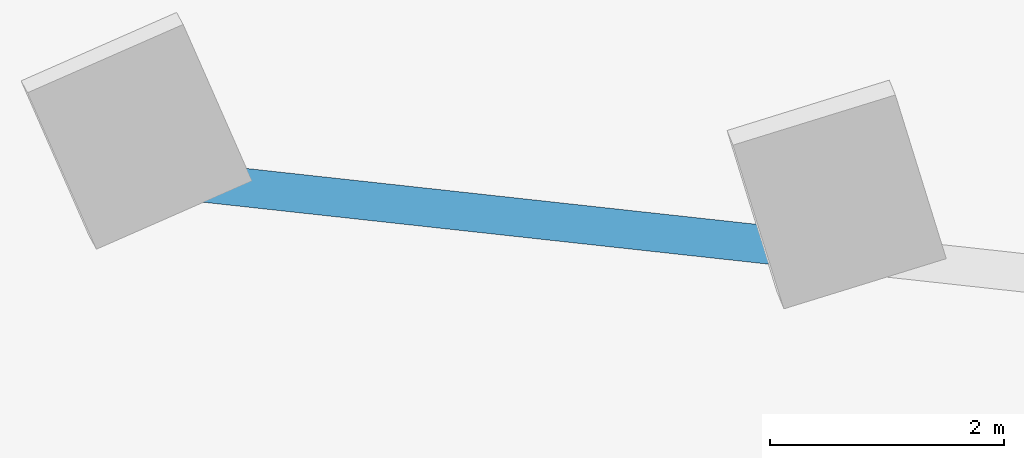
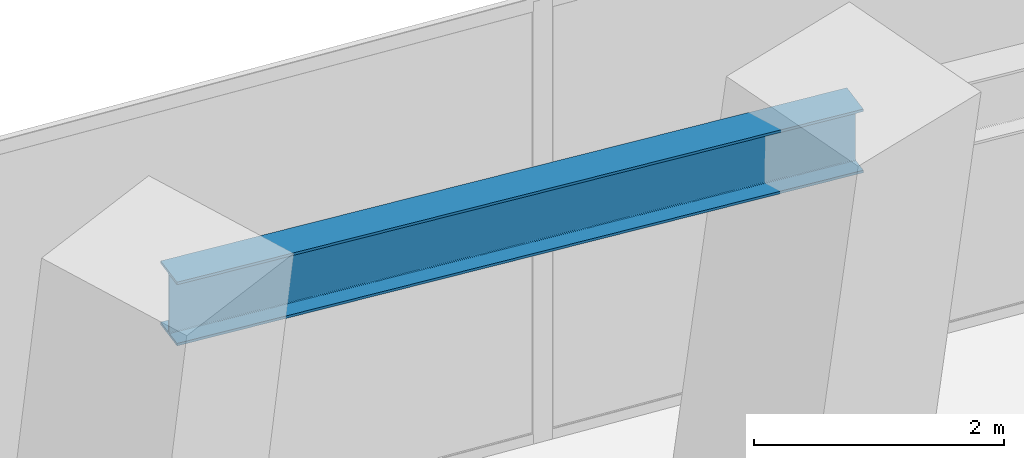
# One storey, part 11 of 24: 1 beam.
"""IFC4 building model written with IfcOpenShell, lengths in metres."""

import ifcopenshell
import ifcopenshell.guid

model = None  # the IFC model being written
_history = None  # IfcOwnerHistory: only IFC2X3 demands one
_inside = {}  # id of a spatial element -> (the spatial element, [elements in it])
_under = {}  # id of a project, library or spatial element -> (it, [spatial elements below it])
_declared = {}  # id of a project -> (the project, [libraries it declares])
_typed = {}  # id of a type object -> (the type object, [elements of that type])
_made_of = {}  # id of a material, layer set ... -> (it, [elements and type objects made of it])


def new_model(schema):
    """Start an empty IFC model of exactly this schema.

    Asked for "IFC4X3", IfcOpenShell would pick the latest addendum, in which some entities
    have other attributes; the version numbers below select the first issue.
    IFC2X3 requires an IfcOwnerHistory on every rooted entity: one is made here for all.
    """
    global model, _history
    if schema == "IFC4X3":
        model = ifcopenshell.file(schema_version=(4, 3, 0, 0))
    else:
        model = ifcopenshell.file(schema=schema)
    _inside.clear()
    _under.clear()
    _declared.clear()
    _typed.clear()
    _made_of.clear()
    _history = None
    if model.schema == "IFC2X3":
        org = make("IfcOrganization", Name="unknown")
        user = make(
            "IfcPersonAndOrganization",
            ThePerson=make("IfcPerson", FamilyName="unknown"),
            TheOrganization=org,
        )
        app = make(
            "IfcApplication",
            ApplicationDeveloper=org,
            Version="unknown",
            ApplicationFullName="unknown",
            ApplicationIdentifier="unknown",
        )
        _history = make(
            "IfcOwnerHistory",
            OwningUser=user,
            OwningApplication=app,
            ChangeAction="ADDED",
            CreationDate=0,
        )
    return model


def make(cls, **values):
    """One entity of the class cls with the attributes given. An attribute that is None is left unset."""
    return model.create_entity(
        cls, **{name: value for name, value in values.items() if value is not None}
    )


def rooted(cls, **values):
    """An entity with a GlobalId (a new one), such as an element, a storey or a relation."""
    return make(cls, GlobalId=ifcopenshell.guid.new(), OwnerHistory=_history, **values)


def si_unit(unit_type, name, prefix=None):
    """IfcSIUnit, for example si_unit("LENGTHUNIT", "METRE", prefix="MILLI")."""
    return make("IfcSIUnit", UnitType=unit_type, Prefix=prefix, Name=name)


def assignment(units):
    """IfcUnitAssignment: the units of a project."""
    return None if units is None else make("IfcUnitAssignment", Units=units)


def point(xyz):
    """IfcCartesianPoint."""
    return None if xyz is None else make("IfcCartesianPoint", Coordinates=xyz)


def direction(xyz):
    """IfcDirection."""
    return None if xyz is None else make("IfcDirection", DirectionRatios=xyz)


def frame(location, z_axis=None, x_axis=None):
    """IfcAxis2Placement3D, a coordinate frame: its origin and axes. An axis left out is left unset."""
    return make(
        "IfcAxis2Placement3D",
        Location=point(location),
        Axis=direction(z_axis),
        RefDirection=direction(x_axis),
    )


def frame_2d(location, x_axis=None):
    """IfcAxis2Placement2D, a coordinate frame in the plane: its origin and x axis."""
    return make(
        "IfcAxis2Placement2D", Location=point(location), RefDirection=direction(x_axis)
    )


def origin():
    """The frame at (0, 0, 0) with its axes left unset."""
    return frame((0.0, 0.0, 0.0))


def origin_2d():
    """The frame at (0, 0) in the plane with its x axis left unset."""
    return frame_2d((0.0, 0.0))


def place(relative_to, where):
    """IfcLocalPlacement: puts the frame where relative to a parent placement (None: the world)."""
    return make(
        "IfcLocalPlacement", PlacementRelTo=relative_to, RelativePlacement=where
    )


def context(
    kind, dimensions, precision=None, world=None, true_north=None, identifier=None
):
    """IfcGeometricRepresentationContext, for example the 3D "Model" context."""
    return make(
        "IfcGeometricRepresentationContext",
        ContextIdentifier=identifier,
        ContextType=kind,
        CoordinateSpaceDimension=dimensions,
        Precision=precision,
        WorldCoordinateSystem=world,
        TrueNorth=true_north,
    )


def subcontext(parent, identifier, kind, view, scale=None):
    """IfcGeometricRepresentationSubContext, for example "Body" below "Model"."""
    return make(
        "IfcGeometricRepresentationSubContext",
        ContextIdentifier=identifier,
        ContextType=kind,
        ParentContext=parent,
        TargetScale=scale,
        TargetView=view,
    )


def project(units=None, contexts=None):
    """IfcProject with its units and contexts."""
    return rooted(
        "IfcProject",
        Name="project",
        RepresentationContexts=contexts,
        UnitsInContext=assignment(units),
    )


def spatial(cls, under=None, at=None, **own):
    """A site, building, storey or space (cls), placed at a placement, below another one or the project."""
    s = rooted(cls, ObjectPlacement=at, **own)
    if under is not None:
        _under.setdefault(under.id(), (under, []))[1].append(s)
    return s


def profile(cls, at=None, kind="AREA", **sizes):
    """A parametric profile (cls). Its sizes go by their IFC names, for example OverallWidth=200.0."""
    return make(cls, ProfileType=kind, Position=at, **sizes)


def i_section(**sizes):
    """IfcIShapeProfileDef."""
    return profile("IfcIShapeProfileDef", **sizes)


def extrude(swept, where, along, depth):
    """IfcExtrudedAreaSolid: the profile swept, set in the frame where, extruded along a direction by depth."""
    return make(
        "IfcExtrudedAreaSolid",
        SweptArea=swept,
        Position=where,
        ExtrudedDirection=direction(along),
        Depth=depth,
    )


def shape(context_of_items, identifier, shape_type, items):
    """IfcShapeRepresentation: the items that make up one representation, for example the "Body"."""
    return make(
        "IfcShapeRepresentation",
        ContextOfItems=context_of_items,
        RepresentationIdentifier=identifier,
        RepresentationType=shape_type,
        Items=items,
    )


def source(mapping_origin, context_of_items, identifier, shape_type, items):
    """IfcRepresentationMap: a shape defined once, which mapped items show again and again."""
    return make(
        "IfcRepresentationMap",
        MappingOrigin=mapping_origin,
        MappedRepresentation=shape(context_of_items, identifier, shape_type, items),
    )


def transform(
    local_origin,
    x_axis=None,
    y_axis=None,
    z_axis=None,
    scale=None,
    scale2=None,
    scale3=None,
    uniform=True,
):
    """IfcCartesianTransformationOperator3D, or its non-uniform kind. x_axis, y_axis, z_axis: its Axis1, 2, 3."""
    if uniform:
        return make(
            "IfcCartesianTransformationOperator3D",
            Axis1=direction(x_axis),
            Axis2=direction(y_axis),
            LocalOrigin=point(local_origin),
            Scale=scale,
            Axis3=direction(z_axis),
        )
    return make(
        "IfcCartesianTransformationOperator3DnonUniform",
        Axis1=direction(x_axis),
        Axis2=direction(y_axis),
        LocalOrigin=point(local_origin),
        Scale=scale,
        Axis3=direction(z_axis),
        Scale2=scale2,
        Scale3=scale3,
    )


def mapped(mapping_source, mapping_target):
    """IfcMappedItem: shows the shape of a source again, moved by a transform."""
    return make(
        "IfcMappedItem", MappingSource=mapping_source, MappingTarget=mapping_target
    )


def material(Name=None, Category=None):
    """IfcMaterial."""
    return make("IfcMaterial", Name=Name, Category=Category)


def material_profile(
    of_material, cross_section, Name=None, Category=None, Priority=None
):
    """IfcMaterialProfile: a cross section and its material."""
    return make(
        "IfcMaterialProfile",
        Name=Name,
        Material=of_material,
        Profile=cross_section,
        Priority=Priority,
        Category=Category,
    )


def profile_set(profiles, Name=None, composite=None):
    """IfcMaterialProfileSet."""
    return make(
        "IfcMaterialProfileSet",
        Name=Name,
        MaterialProfiles=profiles,
        CompositeProfile=composite,
    )


def made_of(thing, what):
    """Note that an element or type object is made of a material, layer set ...; save() writes the relation."""
    if what is not None:
        _made_of.setdefault(what.id(), (what, []))[1].append(thing)
    return thing


def type_object(cls, material=None, **own):
    """A type object (cls), such as IfcWallType, which elements share."""
    return made_of(rooted(cls, **own), material)


def element(
    cls,
    number,
    at=None,
    inside=None,
    cuts=None,
    type_object=None,
    material=None,
    context=None,
    identifier="Body",
    shape_type=None,
    held_by="IfcProductDefinitionShape",
    body=None,
    shapes=None,
    **own,
):
    """One element of the class cls, such as IfcWall. Its Tag is "e" and its number.

    at: its placement. inside: the storey or other place that contains it. cuts: it is an
    opening in that element (IfcRelVoidsElement). A single representation is given by context,
    identifier, shape_type and body (its items); several are given by shapes. held_by: the class
    of the entity that holds the representations. save() writes the other relations.
    """
    e = rooted(cls, Tag="e%d" % number, ObjectPlacement=at, **own)
    if body is not None:
        shapes = [shape(context, identifier, shape_type, body)]
    if shapes is not None:
        e.Representation = make(held_by, Representations=shapes)
    if inside is not None:
        _inside.setdefault(inside.id(), (inside, []))[1].append(e)
    if cuts is not None:
        rooted(
            "IfcRelVoidsElement", RelatingBuildingElement=cuts, RelatedOpeningElement=e
        )
    if type_object is not None:
        _typed.setdefault(type_object.id(), (type_object, []))[1].append(e)
    return made_of(e, material)


def aggregate(whole, parts):
    """IfcRelAggregates: a whole, such as a stair, and the parts it consists of."""
    return rooted("IfcRelAggregates", RelatingObject=whole, RelatedObjects=parts)


def save(model, path):
    """Write the relations noted so far, then the file.

    IfcRelAggregates (storeys below a building ...), IfcRelContainedInSpatialStructure (elements
    in a storey), IfcRelDefinesByType, IfcRelAssociatesMaterial and IfcRelDeclares: one each for
    every whole, place, type object, material and project.
    """
    for whole, parts in _under.values():
        aggregate(whole, parts)
    for where, things in _inside.values():
        rooted(
            "IfcRelContainedInSpatialStructure",
            RelatedElements=things,
            RelatingStructure=where,
        )
    for kind, things in _typed.values():
        rooted("IfcRelDefinesByType", RelatedObjects=things, RelatingType=kind)
    for what, things in _made_of.values():
        rooted("IfcRelAssociatesMaterial", RelatedObjects=things, RelatingMaterial=what)
    for by, libraries in _declared.values():
        rooted("IfcRelDeclares", RelatingContext=by, RelatedDefinitions=libraries)
    model.write(path)


model = new_model("IFC4")

# Units and contexts
model_context = context("Model", 3, precision=1e-05, world=origin(), true_north=direction((0.0, 1.0)))
body_context = subcontext(model_context, "Body", "Model", "MODEL_VIEW")
ifc_project = project(units=[si_unit("LENGTHUNIT", "METRE"), si_unit("AREAUNIT", "SQUARE_METRE"), si_unit("VOLUMEUNIT", "CUBIC_METRE"), si_unit("PLANEANGLEUNIT", "RADIAN"), si_unit("MASSUNIT", "GRAM", prefix="KILO")], contexts=[model_context])

# Site, building, storey
site_placement = place(None, origin())
site = spatial("IfcSite", under=ifc_project, at=site_placement, CompositionType="ELEMENT")
building_placement = place(site_placement, origin())
building = spatial("IfcBuilding", under=site, at=building_placement, Name="Torre Montelarca", CompositionType="ELEMENT")
storey_placement = place(building_placement, frame((0.0, 0.0, 52.0)))
storey = spatial("IfcBuildingStorey", under=building, at=storey_placement, Name="L11", CompositionType="ELEMENT", Elevation=52.0)

# Beam
ifc_material = material(Name="Steel ASTM A992 Grade 50", Category="steel")
ifc_material_profile = material_profile(ifc_material, i_section(OverallWidth=0.326904296875, OverallDepth=0.6220703125, WebThickness=0.015380859375, FlangeThickness=0.0244140625, FilletRadius=0.014892578125, at=origin_2d()), Name="W610X195", Category="steel")
ifc_profile_set = profile_set([ifc_material_profile], Name="Steel ASTM A992 Grade 50")
beam_type = type_object("IfcBeamType", Name="BM-G-W610H", PredefinedType="BEAM", material=ifc_profile_set)
shared_shape = source(origin(), body_context, "Body", "SweptSolid", [
    extrude(i_section(OverallWidth=0.326904296875, OverallDepth=0.6220703125, WebThickness=0.015380859375, FlangeThickness=0.0244140625, FilletRadius=0.014892578125, at=origin_2d()), origin(), (0.0, 0.0, 1.0), 6.0),
])
beam_placement = place(storey_placement, frame((43.40234375, 43.68505859375, 4.2490234375), z_axis=(0.994054224992, -0.108886168894, 0.0), x_axis=(0.108886168894, 0.994054224992, 0.0)))
element("IfcBeam", 1, at=beam_placement, inside=storey, type_object=beam_type, Name="L11 Grid Girder X 42.0-48.0 at Y=46.0", PredefinedType="BEAM", context=body_context, shape_type="MappedRepresentation", body=[
    mapped(shared_shape, transform((0.0, 0.0, 0.0), scale=1.0)),
])

save(model, "model.ifc")
